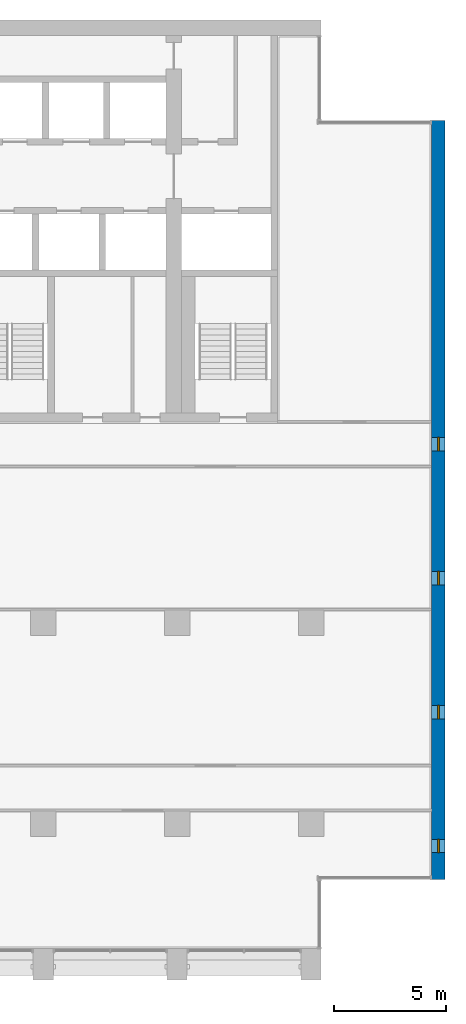
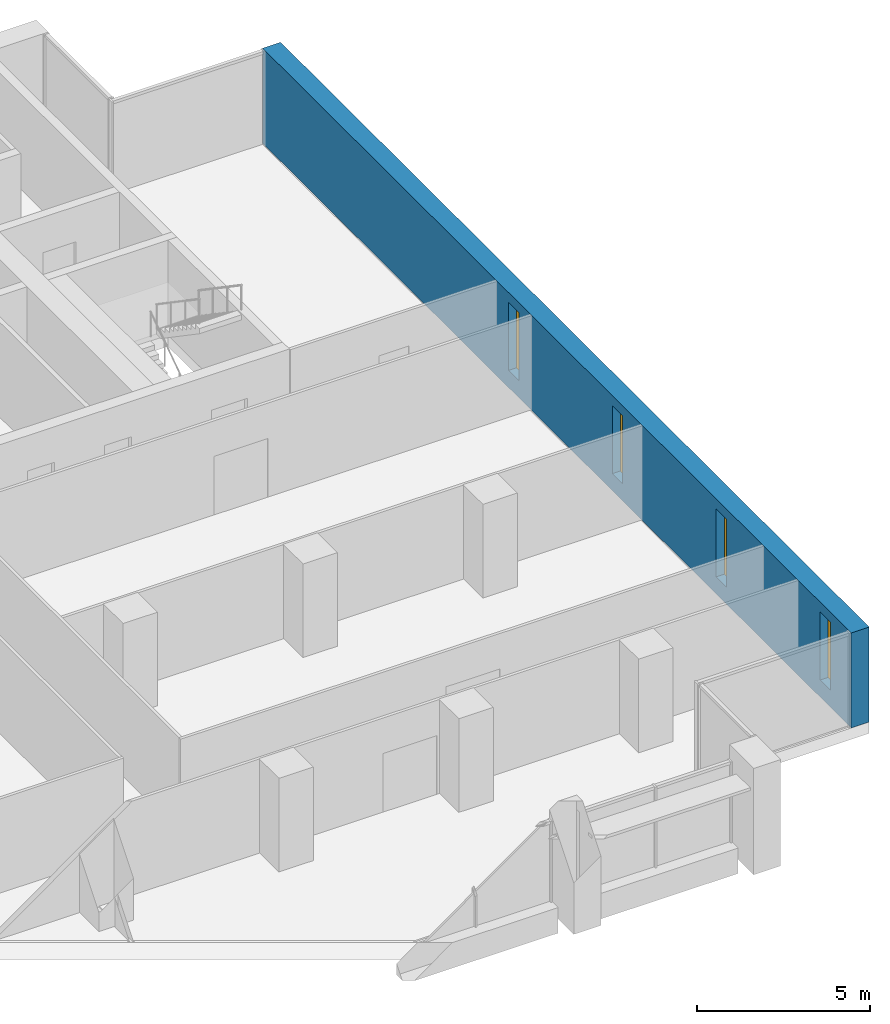
# One storey, part 12 of 16: 4 windows, 1 wall, 4 openings.
"""IFC4 building model written with IfcOpenShell, lengths in metres."""

from ifc_helpers import new_model, si_unit, direction, frame, frame_2d, origin, place, context, subcontext, project, spatial, rectangle, extrude, material, layer, layer_set, type_object, element, fill, save


model = new_model("IFC4")

# Units and contexts
model_context = context("Model", 3, precision=1e-05, world=origin(), true_north=direction((0.0, 1.0)))
body_context = subcontext(model_context, "Body", "Model", "MODEL_VIEW")
ifc_project = project(units=[si_unit("LENGTHUNIT", "METRE"), si_unit("AREAUNIT", "SQUARE_METRE"), si_unit("VOLUMEUNIT", "CUBIC_METRE"), si_unit("PLANEANGLEUNIT", "RADIAN"), si_unit("MASSUNIT", "GRAM", prefix="KILO")], contexts=[model_context])

# Site, building, storey
site_placement = place(None, origin())
site = spatial("IfcSite", under=ifc_project, at=site_placement, CompositionType="ELEMENT")
building_placement = place(site_placement, origin())
building = spatial("IfcBuilding", under=site, at=building_placement, Name="Calvaro Tower", CompositionType="ELEMENT")
storey_placement = place(building_placement, frame((0.0, 0.0, 178.0)))
storey = spatial("IfcBuildingStorey", under=building, at=storey_placement, Name="L44", CompositionType="ELEMENT", Elevation=178.0)

# Wall, openings, windows
ifc_material_1 = material(Name="Concrete C50/60", Category="concrete")
ifc_layer = layer(ifc_material_1, 0.60009765625)
ifc_layer_set = layer_set([ifc_layer], Name="Concrete C50/60")
wall_type = type_object("IfcWallType", Name="End wall 600 C50/60", PredefinedType="SHEAR", material=ifc_layer_set)
wall_placement = place(storey_placement, frame((71.699951171875, 7.5, 0.0), z_axis=(0.0, 0.0, 1.0), x_axis=(0.0, 1.0, 0.0)))
wall = element("IfcWall", 1, at=wall_placement, inside=storey, type_object=wall_type, Name="End shear wall", PredefinedType="SHEAR", context=body_context, shape_type="SweptSolid", body=[
    extrude(rectangle(XDim=34.0, YDim=0.60009765625, at=frame_2d((17.0, 0.0))), origin(), (0.0, 0.0, 1.0), 3.35009765625),
])
opening_1_placement = place(wall_placement, frame((1.199951171875, 0.0, 0.60009765625)))
opening_1 = element("IfcOpeningElement", 2, at=opening_1_placement, cuts=wall, Name="Opening WE01", PredefinedType="OPENING", context=body_context, shape_type="SweptSolid", body=[
    extrude(rectangle(XDim=0.60009765625, YDim=2.39990234375, at=frame_2d((0.300048828125, 1.199951171875))), frame((0.0, 0.31005859375, 0.0), z_axis=(0.0, -1.0, 0.0), x_axis=(1.0, 0.0, 0.0)), (0.0, 0.0, 1.0), 0.6201171875),
])
opening_2_placement = place(wall_placement, frame((7.199951171875, 0.0, 0.60009765625)))
opening_2 = element("IfcOpeningElement", 3, at=opening_2_placement, cuts=wall, Name="Opening WE02", PredefinedType="OPENING", context=body_context, shape_type="SweptSolid", body=[
    extrude(rectangle(XDim=0.60009765625, YDim=2.39990234375, at=frame_2d((0.300048828125, 1.199951171875))), frame((0.0, 0.31005859375, 0.0), z_axis=(0.0, -1.0, 0.0), x_axis=(1.0, 0.0, 0.0)), (0.0, 0.0, 1.0), 0.6201171875),
])
opening_3_placement = place(wall_placement, frame((13.199951171875, 0.0, 0.60009765625)))
opening_3 = element("IfcOpeningElement", 4, at=opening_3_placement, cuts=wall, Name="Opening WE03", PredefinedType="OPENING", context=body_context, shape_type="SweptSolid", body=[
    extrude(rectangle(XDim=0.60009765625, YDim=2.39990234375, at=frame_2d((0.300048828125, 1.199951171875))), frame((0.0, 0.31005859375, 0.0), z_axis=(0.0, -1.0, 0.0), x_axis=(1.0, 0.0, 0.0)), (0.0, 0.0, 1.0), 0.6201171875),
])
opening_4_placement = place(wall_placement, frame((19.199951171875, 0.0, 0.60009765625)))
opening_4 = element("IfcOpeningElement", 5, at=opening_4_placement, cuts=wall, Name="Opening WE04", PredefinedType="OPENING", context=body_context, shape_type="SweptSolid", body=[
    extrude(rectangle(XDim=0.60009765625, YDim=2.39990234375, at=frame_2d((0.300048828125, 1.199951171875))), frame((0.0, 0.31005859375, 0.0), z_axis=(0.0, -1.0, 0.0), x_axis=(1.0, 0.0, 0.0)), (0.0, 0.0, 1.0), 0.6201171875),
])
ifc_material_2 = material(Name="Glass", Category="glass")
window_type = type_object("IfcWindowType", Name="Slit window 600 x 2400", PartitioningType="SINGLE_PANEL", PredefinedType="WINDOW", material=ifc_material_2)
window_1_placement = place(opening_1_placement, origin())
window_1 = element("IfcWindow", 6, at=window_1_placement, inside=storey, type_object=window_type, Name="Window WE01", OverallHeight=2.39990234375, OverallWidth=0.60009765625, PartitioningType="SINGLE_PANEL", PredefinedType="WINDOW", context=body_context, shape_type="SweptSolid", body=[
    extrude(rectangle(XDim=0.60009765625, YDim=2.39990234375, at=frame_2d((0.300048828125, 1.199951171875))), frame((0.0, 0.030029296875, 0.0), z_axis=(0.0, -1.0, 0.0), x_axis=(1.0, 0.0, 0.0)), (0.0, 0.0, 1.0), 0.06005859375),
])
fill(opening_1, window_1)
window_2_placement = place(opening_2_placement, origin())
window_2 = element("IfcWindow", 7, at=window_2_placement, inside=storey, type_object=window_type, Name="Window WE02", OverallHeight=2.39990234375, OverallWidth=0.60009765625, PartitioningType="SINGLE_PANEL", PredefinedType="WINDOW", context=body_context, shape_type="SweptSolid", body=[
    extrude(rectangle(XDim=0.60009765625, YDim=2.39990234375, at=frame_2d((0.300048828125, 1.199951171875))), frame((0.0, 0.030029296875, 0.0), z_axis=(0.0, -1.0, 0.0), x_axis=(1.0, 0.0, 0.0)), (0.0, 0.0, 1.0), 0.06005859375),
])
fill(opening_2, window_2)
window_3_placement = place(opening_3_placement, origin())
window_3 = element("IfcWindow", 8, at=window_3_placement, inside=storey, type_object=window_type, Name="Window WE03", OverallHeight=2.39990234375, OverallWidth=0.60009765625, PartitioningType="SINGLE_PANEL", PredefinedType="WINDOW", context=body_context, shape_type="SweptSolid", body=[
    extrude(rectangle(XDim=0.60009765625, YDim=2.39990234375, at=frame_2d((0.300048828125, 1.199951171875))), frame((0.0, 0.030029296875, 0.0), z_axis=(0.0, -1.0, 0.0), x_axis=(1.0, 0.0, 0.0)), (0.0, 0.0, 1.0), 0.06005859375),
])
fill(opening_3, window_3)
window_4_placement = place(opening_4_placement, origin())
window_4 = element("IfcWindow", 9, at=window_4_placement, inside=storey, type_object=window_type, Name="Window WE04", OverallHeight=2.39990234375, OverallWidth=0.60009765625, PartitioningType="SINGLE_PANEL", PredefinedType="WINDOW", context=body_context, shape_type="SweptSolid", body=[
    extrude(rectangle(XDim=0.60009765625, YDim=2.39990234375, at=frame_2d((0.300048828125, 1.199951171875))), frame((0.0, 0.030029296875, 0.0), z_axis=(0.0, -1.0, 0.0), x_axis=(1.0, 0.0, 0.0)), (0.0, 0.0, 1.0), 0.06005859375),
])
fill(opening_4, window_4)

save(model, "model.ifc")
